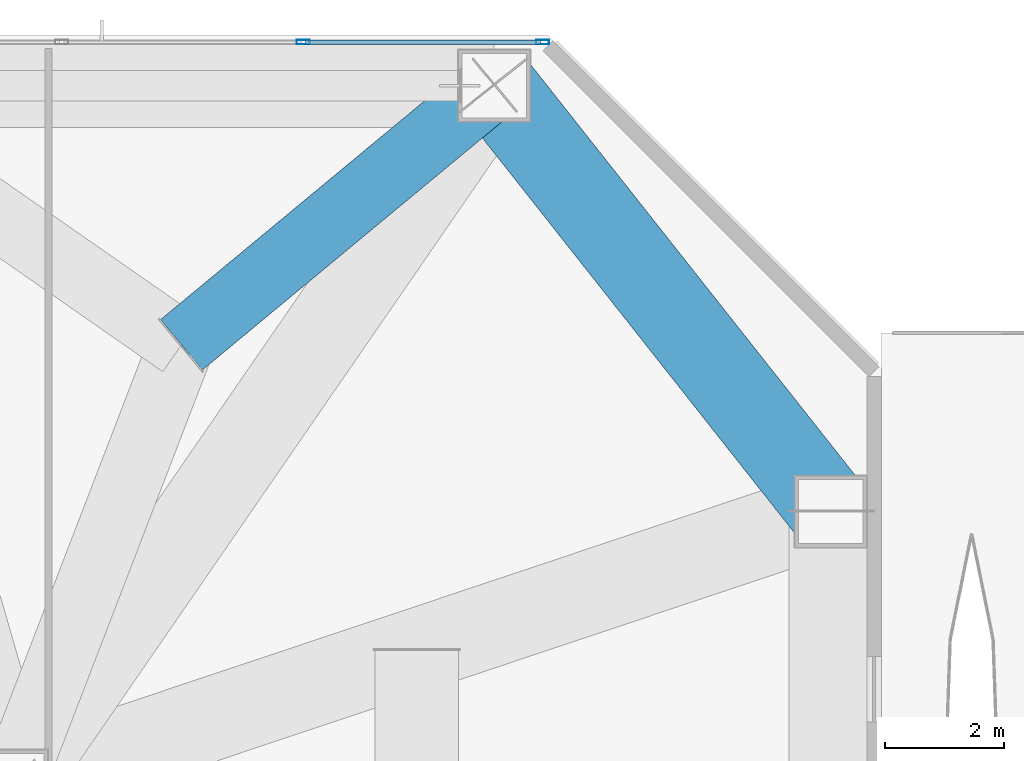
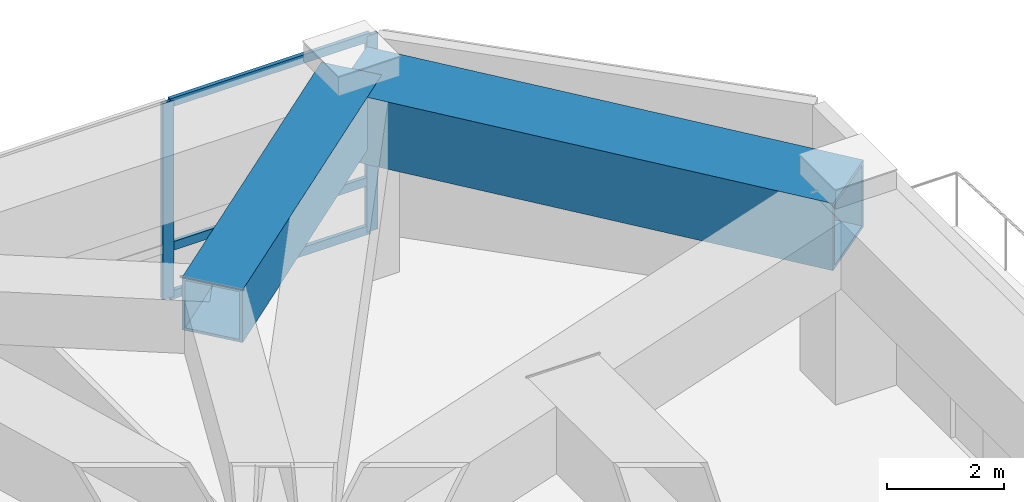
# One storey, part 12 of 27: 5 members, 2 beams, 1 element without a shape of its own.
"""IFC4 building model written with IfcOpenShell, lengths in metres."""

from ifc_helpers import new_model, si_unit, direction, frame, origin, origin_2d, place, context, subcontext, project, spatial, hollow_rectangle, extrude, material, material_profile, profile_set, type_object, element, aggregate, save


model = new_model("IFC4")

# Units and contexts
model_context = context("Model", 3, precision=1e-05, world=origin(), true_north=direction((0.0, 1.0)))
body_context = subcontext(model_context, "Body", "Model", "MODEL_VIEW")
ifc_project = project(units=[si_unit("LENGTHUNIT", "METRE"), si_unit("AREAUNIT", "SQUARE_METRE"), si_unit("VOLUMEUNIT", "CUBIC_METRE"), si_unit("PLANEANGLEUNIT", "RADIAN"), si_unit("MASSUNIT", "GRAM", prefix="KILO")], contexts=[model_context])

# Site, building, storey
site_placement = place(None, origin())
site = spatial("IfcSite", under=ifc_project, at=site_placement, CompositionType="ELEMENT")
building_placement = place(site_placement, origin())
building = spatial("IfcBuilding", under=site, at=building_placement, Name="Khamvora Tower", CompositionType="ELEMENT")
storey_placement = place(building_placement, frame((0.0, 0.0, 28.800048828125)))
storey = spatial("IfcBuildingStorey", under=building, at=storey_placement, Name="L06", CompositionType="ELEMENT", Elevation=28.800048828125)

# Beams
ifc_material_1 = material(Name="Steel S460", Category="steel")
ifc_material_profile_1 = material_profile(ifc_material_1, hollow_rectangle(XDim=1.10009765625, YDim=1.10009765625, WallThickness=0.054931640625, at=origin_2d()), Name="BOX1100x1100x55")
ifc_profile_set_1 = profile_set([ifc_material_profile_1], Name="Steel S460")
beam_type_1 = type_object("IfcBeamType", Name="BM-TG-BOX1100", PredefinedType="BEAM", material=ifc_profile_set_1)
beam_1_placement = place(storey_placement, frame((49.5, 55.14990234375, 3.530029296875), z_axis=(-0.770032116246, -0.638005125332, 0.0), x_axis=(0.638005125332, -0.770032116246, 0.0)))
element("IfcBeam", 1, at=beam_1_placement, inside=storey, type_object=beam_type_1, Name="L06 setback frame transfer frame transfer link N4.1", PredefinedType="BEAM", context=body_context, shape_type="SweptSolid", body=[
    extrude(hollow_rectangle(XDim=1.10009765625, YDim=1.10009765625, WallThickness=0.054931640625, at=origin_2d()), origin(), (0.0, 0.0, 1.0), 6.81787109375),
])
ifc_material_profile_2 = material_profile(ifc_material_1, hollow_rectangle(XDim=1.39990234375, YDim=1.39990234375, WallThickness=0.070068359375, at=origin_2d()), Name="BOX1400x1400x70")
ifc_profile_set_2 = profile_set([ifc_material_profile_2], Name="Steel S460")
beam_type_2 = type_object("IfcBeamType", Name="BM-TG-BOX1400", PredefinedType="BEAM", material=ifc_profile_set_2)
beam_2_placement = place(storey_placement, frame((55.14990234375, 48.0, 3.3798828125), z_axis=(-0.619998635429, 0.784602888133, 0.0), x_axis=(-0.784602888133, -0.619998635429, 0.0)))
element("IfcBeam", 2, at=beam_2_placement, inside=storey, type_object=beam_type_2, Name="L06 perimeter spandrel beam P16-P08", PredefinedType="BEAM", context=body_context, shape_type="SweptSolid", body=[
    extrude(hollow_rectangle(XDim=1.39990234375, YDim=1.39990234375, WallThickness=0.070068359375, at=origin_2d()), origin(), (0.0, 0.0, 1.0), 9.11279296875),
])

# Curtain wall, members
ifc_material_2 = material(Name="Anodised Aluminium 6063-T6", Category="aluminium")
curtain_wall_type = type_object("IfcCurtainWallType", Name="CW-SYS-01", PredefinedType="NOTDEFINED", material=ifc_material_2)
curtain_wall_placement = place(storey_placement, origin())
curtain_wall = element("IfcCurtainWall", 3, at=curtain_wall_placement, inside=storey, type_object=curtain_wall_type, Name="L06 stick curtain wall 07.1", PredefinedType="NOTDEFINED")
ifc_material_profile_3 = material_profile(ifc_material_2, hollow_rectangle(XDim=0.074951171875, YDim=0.219970703125, WallThickness=0.0048828125, at=origin_2d()), Name="MUL75x220x5")
ifc_profile_set_3 = profile_set([ifc_material_profile_3], Name="Anodised Aluminium 6063-T6")
member_type_1 = type_object("IfcMemberType", Name="CW-SYS-01-MUL", PredefinedType="MULLION", material=ifc_profile_set_3)
member_1_placement = place(storey_placement, frame((46.29345703125, 55.8798828125, 0.0), z_axis=(0.0, 0.0, 1.0), x_axis=(0.0, 1.0, 0.0)))
member_1 = element("IfcMember", 4, at=member_1_placement, type_object=member_type_1, Name="CW-01 mullion 11", PredefinedType="MULLION", context=body_context, shape_type="SweptSolid", body=[
    extrude(hollow_rectangle(XDim=0.074951171875, YDim=0.219970703125, WallThickness=0.0048828125, at=origin_2d()), origin(), (0.0, 0.0, 1.0), 4.079833984375),
])
member_2_placement = place(storey_placement, frame((50.3125, 55.8798828125, 0.0), z_axis=(0.0, 0.0, 1.0), x_axis=(0.0, 1.0, 0.0)))
member_2 = element("IfcMember", 5, at=member_2_placement, type_object=member_type_1, Name="CW-01 mullion 12", PredefinedType="MULLION", context=body_context, shape_type="SweptSolid", body=[
    extrude(hollow_rectangle(XDim=0.074951171875, YDim=0.219970703125, WallThickness=0.0048828125, at=origin_2d()), origin(), (0.0, 0.0, 1.0), 4.079833984375),
])
ifc_material_profile_4 = material_profile(ifc_material_2, hollow_rectangle(XDim=0.074951171875, YDim=0.179931640625, WallThickness=0.0048828125, at=origin_2d()), Name="TRN75x180x5")
ifc_profile_set_4 = profile_set([ifc_material_profile_4], Name="Anodised Aluminium 6063-T6")
member_type_2 = type_object("IfcMemberType", Name="CW-SYS-01-TRN", PredefinedType="USERDEFINED", material=ifc_profile_set_4)
member_3_placement = place(storey_placement, frame((46.330810546875, 55.8798828125, 0.037353515625), z_axis=(1.0, 0.0, 0.0), x_axis=(0.0, 1.0, 0.0)))
member_3 = element("IfcMember", 6, at=member_3_placement, type_object=member_type_2, Name="CW-01 transom 11.1", ObjectType="TRANSOM", PredefinedType="USERDEFINED", context=body_context, shape_type="SweptSolid", body=[
    extrude(hollow_rectangle(XDim=0.074951171875, YDim=0.179931640625, WallThickness=0.0048828125, at=origin_2d()), origin(), (0.0, 0.0, 1.0), 3.944091796875),
])
member_4_placement = place(storey_placement, frame((46.330810546875, 55.8798828125, 1.050048828125), z_axis=(1.0, 0.0, 0.0), x_axis=(0.0, 1.0, 0.0)))
member_4 = element("IfcMember", 7, at=member_4_placement, type_object=member_type_2, Name="CW-01 transom 11.2", ObjectType="TRANSOM", PredefinedType="USERDEFINED", context=body_context, shape_type="SweptSolid", body=[
    extrude(hollow_rectangle(XDim=0.074951171875, YDim=0.179931640625, WallThickness=0.0048828125, at=origin_2d()), origin(), (0.0, 0.0, 1.0), 3.944091796875),
])
member_5_placement = place(storey_placement, frame((46.330810546875, 55.8798828125, 4.04248046875), z_axis=(1.0, 0.0, 0.0), x_axis=(0.0, 1.0, 0.0)))
member_5 = element("IfcMember", 8, at=member_5_placement, type_object=member_type_2, Name="CW-01 transom 11.3", ObjectType="TRANSOM", PredefinedType="USERDEFINED", context=body_context, shape_type="SweptSolid", body=[
    extrude(hollow_rectangle(XDim=0.074951171875, YDim=0.179931640625, WallThickness=0.0048828125, at=origin_2d()), origin(), (0.0, 0.0, 1.0), 3.944091796875),
])
aggregate(curtain_wall, [member_1, member_2, member_3, member_4, member_5])

save(model, "model.ifc")
